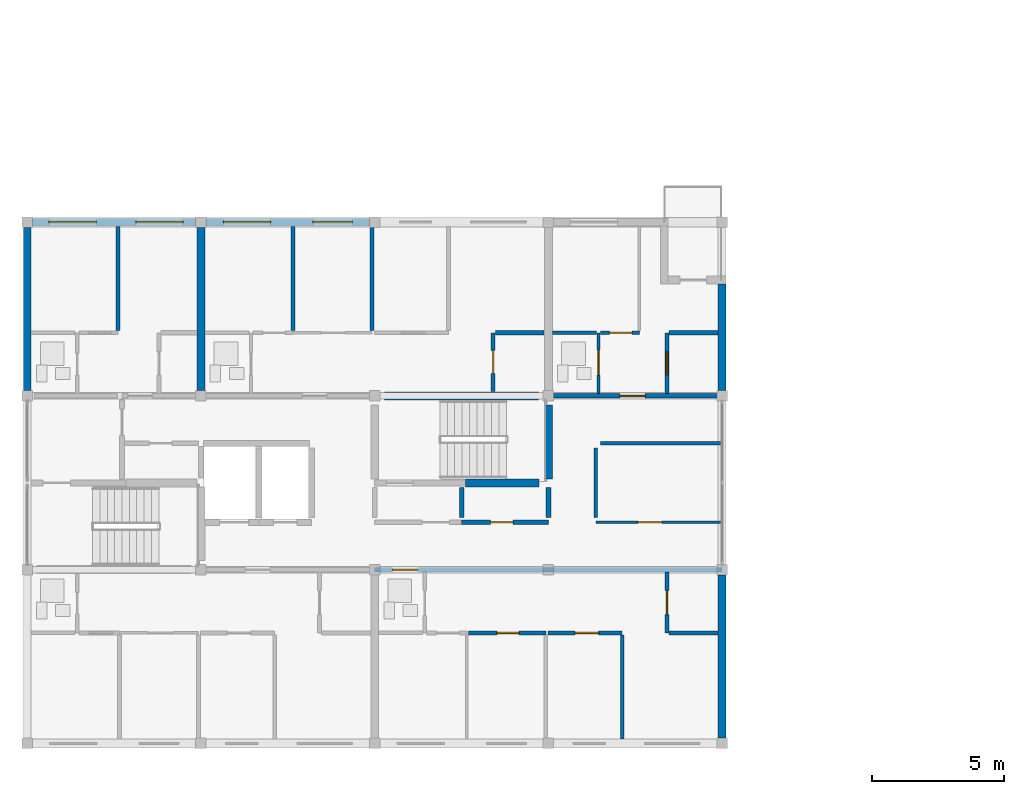
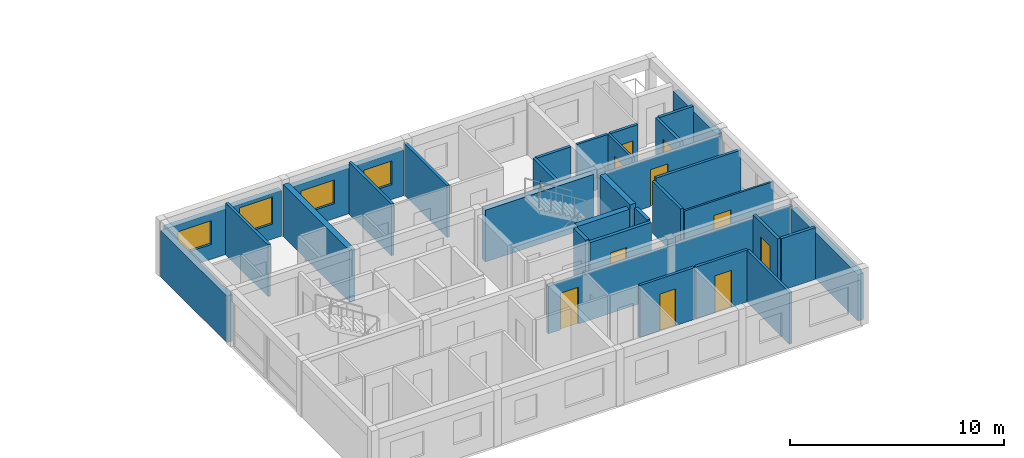
# One storey, part 26 of 45: 32 walls, 11 doors, 4 windows, 15 openings.
"""IFC4 building model written with IfcOpenShell, lengths in metres."""

from ifc_helpers import new_model, si_unit, direction, frame, frame_2d, origin, place, context, subcontext, project, spatial, rectangle, extrude, material, layer, layer_set, type_object, element, fill, save


model = new_model("IFC4")

# Units and contexts
model_context = context("Model", 3, precision=1e-05, world=origin(), true_north=direction((0.0, 1.0)))
body_context = subcontext(model_context, "Body", "Model", "MODEL_VIEW")
ifc_project = project(units=[si_unit("LENGTHUNIT", "METRE"), si_unit("AREAUNIT", "SQUARE_METRE"), si_unit("VOLUMEUNIT", "CUBIC_METRE"), si_unit("PLANEANGLEUNIT", "RADIAN"), si_unit("MASSUNIT", "GRAM", prefix="KILO")], contexts=[model_context])

# Site, building, storey
site_placement = place(None, origin())
site = spatial("IfcSite", under=ifc_project, at=site_placement, CompositionType="ELEMENT")
building_placement = place(site_placement, origin())
building = spatial("IfcBuilding", under=site, at=building_placement, Name="Kernevlak Ridge Housing Community", CompositionType="ELEMENT")
storey_placement = place(building_placement, frame((0.0, 0.0, 14.800048828125)))
storey = spatial("IfcBuildingStorey", under=building, at=storey_placement, Name="L04", CompositionType="ELEMENT", Elevation=14.800048828125)

# Wall, openings, windows
ifc_material_1 = material(Name="Concrete block masonry M10", Category="masonry")
ifc_layer_1 = layer(ifc_material_1, 0.300048828125, Name="Concrete block masonry M10")
ifc_layer_set_1 = layer_set([ifc_layer_1], Name="Concrete block masonry M10")
wall_type_1 = type_object("IfcWallType", Name="EW-01", PredefinedType="STANDARD", material=ifc_layer_set_1)
wall_1_placement = place(storey_placement, frame((15.800048828125, 35.39990234375, 0.0), z_axis=(0.0, 0.0, 1.0), x_axis=(1.0, 0.0, 0.0)))
wall_1 = element("IfcWall", 1, at=wall_1_placement, inside=storey, type_object=wall_type_1, Name="Exterior wall EW-01 L04 771", PredefinedType="STANDARD", context=body_context, shape_type="SweptSolid", body=[
    extrude(rectangle(XDim=6.199951171875, YDim=0.300048828125, at=frame_2d((3.10009765625, 0.0))), origin(), (0.0, 0.0, 1.0), 2.599853515625),
])
opening_1_placement = place(wall_1_placement, frame((0.625, 0.0, 0.85009765625)))
opening_1 = element("IfcOpeningElement", 2, at=opening_1_placement, cuts=wall_1, Name="Opening WT-03", PredefinedType="OPENING", context=body_context, shape_type="SweptSolid", body=[
    extrude(rectangle(XDim=1.800048828125, YDim=1.35009765625, at=frame_2d((0.89990234375, 0.675048828125))), frame((0.0, 0.159912109375, 0.0), z_axis=(0.0, -1.0, 0.0), x_axis=(1.0, 0.0, 0.0)), (0.0, 0.0, 1.0), 0.320068359375),
])
opening_2_placement = place(wall_1_placement, frame((3.925048828125, 0.0, 0.85009765625)))
opening_2 = element("IfcOpeningElement", 3, at=opening_2_placement, cuts=wall_1, Name="Opening WT-04", PredefinedType="OPENING", context=body_context, shape_type="SweptSolid", body=[
    extrude(rectangle(XDim=1.800048828125, YDim=1.550048828125, at=frame_2d((0.89990234375, 0.77490234375))), frame((0.0, 0.159912109375, 0.0), z_axis=(0.0, -1.0, 0.0), x_axis=(1.0, 0.0, 0.0)), (0.0, 0.0, 1.0), 0.320068359375),
])
ifc_material_2 = material(Name="Aluminium EN AW-6060 anodised and laminated glass", Category="aluminium")
window_type_1 = type_object("IfcWindowType", Name="WT-03", PartitioningType="SINGLE_PANEL", PredefinedType="WINDOW", material=ifc_material_2)
window_1_placement = place(opening_1_placement, origin())
window_1 = element("IfcWindow", 4, at=window_1_placement, inside=storey, type_object=window_type_1, Name="Window WT-03 L04 643", OverallHeight=1.35009765625, OverallWidth=1.800048828125, PartitioningType="SINGLE_PANEL", PredefinedType="WINDOW", context=body_context, shape_type="SweptSolid", body=[
    extrude(rectangle(XDim=1.800048828125, YDim=1.35009765625, at=frame_2d((0.89990234375, 0.675048828125))), frame((0.0, 0.030029296875, 0.0), z_axis=(0.0, -1.0, 0.0), x_axis=(1.0, 0.0, 0.0)), (0.0, 0.0, 1.0), 0.06005859375),
])
fill(opening_1, window_1)
window_type_2 = type_object("IfcWindowType", Name="WT-04", PartitioningType="SINGLE_PANEL", PredefinedType="WINDOW", material=ifc_material_2)
window_2_placement = place(opening_2_placement, origin())
window_2 = element("IfcWindow", 5, at=window_2_placement, inside=storey, type_object=window_type_2, Name="Window WT-04 L04 644", OverallHeight=1.550048828125, OverallWidth=1.800048828125, PartitioningType="SINGLE_PANEL", PredefinedType="WINDOW", context=body_context, shape_type="SweptSolid", body=[
    extrude(rectangle(XDim=1.800048828125, YDim=1.550048828125, at=frame_2d((0.89990234375, 0.77490234375))), frame((0.0, 0.030029296875, 0.0), z_axis=(0.0, -1.0, 0.0), x_axis=(1.0, 0.0, 0.0)), (0.0, 0.0, 1.0), 0.06005859375),
])
fill(opening_2, window_2)

wall_2_placement = place(storey_placement, frame((22.39990234375, 35.39990234375, 0.0), z_axis=(0.0, 0.0, 1.0), x_axis=(1.0, 0.0, 0.0)))
wall_2 = element("IfcWall", 6, at=wall_2_placement, inside=storey, type_object=wall_type_1, Name="Exterior wall EW-01 L04 772", PredefinedType="STANDARD", context=body_context, shape_type="SweptSolid", body=[
    extrude(rectangle(XDim=6.2001953125, YDim=0.300048828125, at=frame_2d((3.10009765625, 0.0))), origin(), (0.0, 0.0, 1.0), 2.599853515625),
])
opening_3_placement = place(wall_2_placement, frame((0.64990234375, 0.0, 0.85009765625)))
opening_3 = element("IfcOpeningElement", 7, at=opening_3_placement, cuts=wall_2, Name="Opening WT-03", PredefinedType="OPENING", context=body_context, shape_type="SweptSolid", body=[
    extrude(rectangle(XDim=1.800048828125, YDim=1.35009765625, at=frame_2d((0.89990234375, 0.675048828125))), frame((0.0, 0.159912109375, 0.0), z_axis=(0.0, -1.0, 0.0), x_axis=(1.0, 0.0, 0.0)), (0.0, 0.0, 1.0), 0.320068359375),
])
opening_4_placement = place(wall_2_placement, frame((4.050048828125, 0.0, 0.85009765625)))
opening_4 = element("IfcOpeningElement", 8, at=opening_4_placement, cuts=wall_2, Name="Opening WT-02", PredefinedType="OPENING", context=body_context, shape_type="SweptSolid", body=[
    extrude(rectangle(XDim=1.5, YDim=1.35009765625, at=frame_2d((0.75, 0.675048828125))), frame((0.0, 0.159912109375, 0.0), z_axis=(0.0, -1.0, 0.0), x_axis=(1.0, 0.0, 0.0)), (0.0, 0.0, 1.0), 0.320068359375),
])
window_type_3 = type_object("IfcWindowType", Name="WT-02", PartitioningType="SINGLE_PANEL", PredefinedType="WINDOW", material=ifc_material_2)
window_3_placement = place(opening_4_placement, origin())
window_3 = element("IfcWindow", 9, at=window_3_placement, inside=storey, type_object=window_type_3, Name="Window WT-02 L04 646", OverallHeight=1.35009765625, OverallWidth=1.5, PartitioningType="SINGLE_PANEL", PredefinedType="WINDOW", context=body_context, shape_type="SweptSolid", body=[
    extrude(rectangle(XDim=1.5, YDim=1.35009765625, at=frame_2d((0.75, 0.675048828125))), frame((0.0, 0.030029296875, 0.0), z_axis=(0.0, -1.0, 0.0), x_axis=(1.0, 0.0, 0.0)), (0.0, 0.0, 1.0), 0.06005859375),
])
fill(opening_4, window_3)
window_4_placement = place(opening_3_placement, origin())
window_4 = element("IfcWindow", 10, at=window_4_placement, inside=storey, type_object=window_type_1, Name="Window WT-03 L04 645", OverallHeight=1.35009765625, OverallWidth=1.800048828125, PartitioningType="SINGLE_PANEL", PredefinedType="WINDOW", context=body_context, shape_type="SweptSolid", body=[
    extrude(rectangle(XDim=1.800048828125, YDim=1.35009765625, at=frame_2d((0.89990234375, 0.675048828125))), frame((0.0, 0.030029296875, 0.0), z_axis=(0.0, -1.0, 0.0), x_axis=(1.0, 0.0, 0.0)), (0.0, 0.0, 1.0), 0.06005859375),
])
fill(opening_3, window_4)

# Walls
for number, where, z_axis, x_axis, name in (
    (11, (15.60009765625, 29.0, 0.0), (0.0, 0.0, 1.0), (0.0, 1.0, 0.0), "Exterior wall EW-01 L04 778"),
    (12, (42.0, 15.800048828125, 0.0), (0.0, 0.0, 1.0), (0.0, 1.0, 0.0), "Exterior wall EW-01 L04 779"),
):
    element("IfcWall", number, at=place(storey_placement, frame(where, z_axis=z_axis, x_axis=x_axis)), inside=storey, type_object=wall_type_1, Name=name, PredefinedType="STANDARD", context=body_context, shape_type="SweptSolid", body=[
        extrude(rectangle(XDim=6.199951171875, YDim=0.300048828125, at=frame_2d((3.10009765625, 0.0))), origin(), (0.0, 0.0, 1.0), 2.64990234375),
    ])
wall_3_placement = place(storey_placement, frame((42.0, 29.0, 0.0), z_axis=(0.0, 0.0, 1.0), x_axis=(0.0, 1.0, 0.0)))
element("IfcWall", 13, at=wall_3_placement, inside=storey, type_object=wall_type_1, Name="Exterior wall EW-01 L04 780", PredefinedType="STANDARD", context=body_context, shape_type="SweptSolid", body=[
    extrude(rectangle(XDim=4.050048828125, YDim=0.300048828125, at=frame_2d((2.02490234375, 0.0))), origin(), (0.0, 0.0, 1.0), 2.64990234375),
])

# Wall, opening, door
ifc_layer_2 = layer(ifc_material_1, 0.175048828125, Name="Concrete block masonry M10")
ifc_layer_set_2 = layer_set([ifc_layer_2], Name="Concrete block masonry M10")
wall_type_2 = type_object("IfcWallType", Name="PW-02", PredefinedType="PARTITIONING", material=ifc_layer_set_2)
wall_4_placement = place(storey_placement, frame((32.10009765625, 24.0, 0.0), z_axis=(0.0, 0.0, 1.0), x_axis=(1.0, 0.0, 0.0)))
wall_4 = element("IfcWall", 14, at=wall_4_placement, inside=storey, type_object=wall_type_2, Name="Interior wall PW-02 WAL-INT-L04-3187", PredefinedType="PARTITIONING", context=body_context, shape_type="SweptSolid", body=[
    extrude(rectangle(XDim=3.2998046875, YDim=0.175048828125, at=frame_2d((1.64990234375, 0.0))), origin(), (0.0, 0.0, 1.0), 2.9599609375),
])
opening_5_placement = place(wall_4_placement, frame((1.10009765625, 0.0, 0.0)))
opening_5 = element("IfcOpeningElement", 15, at=opening_5_placement, cuts=wall_4, Name="Opening E616", PredefinedType="OPENING", context=body_context, shape_type="SweptSolid", body=[
    extrude(rectangle(XDim=0.85009765625, YDim=2.0, at=frame_2d((0.425048828125, 1.0))), frame((0.0, 0.097412109375, 0.0), z_axis=(0.0, -1.0, 0.0), x_axis=(1.0, 0.0, 0.0)), (0.0, 0.0, 1.0), 0.195068359375),
])
ifc_material_3 = material(Name="Fire-rated sheet steel leaf", Category="steel")
door_type_1 = type_object("IfcDoorType", Name="DT-07", OperationType="NOTDEFINED", PredefinedType="DOOR", material=ifc_material_3)
door_1_placement = place(opening_5_placement, origin())
door_1 = element("IfcDoor", 16, at=door_1_placement, inside=storey, type_object=door_type_1, Name="Block D Cleaner store door E616", OperationType="SINGLE_SWING_LEFT", OverallHeight=2.0, OverallWidth=0.85009765625, PredefinedType="DOOR", context=body_context, shape_type="SweptSolid", body=[
    extrude(rectangle(XDim=0.85009765625, YDim=2.0, at=frame_2d((0.425048828125, 1.0))), frame((0.0, 0.02490234375, 0.0), z_axis=(0.0, -1.0, 0.0), x_axis=(1.0, 0.0, 0.0)), (0.0, 0.0, 1.0), 0.050048828125),
])
fill(opening_5, door_1)

# Walls
for number, where, z_axis, x_axis, name in (
    (17, (32.10009765625, 24.179931640625, 0.0), (0.0, 0.0, 1.0), (0.0, 1.0, 0.0), "Interior wall PW-02 WAL-INT-L04-3189"),
    (18, (35.39990234375, 24.179931640625, 0.0), (0.0, 0.0, 1.0), (0.0, 1.0, 0.0), "Interior wall PW-02 WAL-INT-L04-3190"),
):
    element("IfcWall", number, at=place(storey_placement, frame(where, z_axis=z_axis, x_axis=x_axis)), inside=storey, type_object=wall_type_2, Name=name, PredefinedType="PARTITIONING", context=body_context, shape_type="SweptSolid", body=[
        extrude(rectangle(XDim=1.14013671875, YDim=0.175048828125, at=frame_2d((0.570068359375, 0.0))), origin(), (0.0, 0.0, 1.0), 2.9599609375),
    ])

# Wall, opening, door
wall_5_placement = place(storey_placement, frame((28.800048828125, 22.199951171875, 0.0), z_axis=(0.0, 0.0, 1.0), x_axis=(1.0, 0.0, 0.0)))
wall_5 = element("IfcWall", 19, at=wall_5_placement, inside=storey, type_object=wall_type_2, Name="Interior wall PW-02 WAL-INT-L04-3205", PredefinedType="PARTITIONING", context=body_context, shape_type="SweptSolid", body=[
    extrude(rectangle(XDim=13.199951171875, YDim=0.175048828125, at=frame_2d((6.60009765625, 0.0))), origin(), (0.0, 0.0, 1.0), 2.699951171875),
])
opening_6_placement = place(wall_5_placement, frame((0.669921875, 0.0, 0.0)))
opening_6 = element("IfcOpeningElement", 20, at=opening_6_placement, cuts=wall_5, Name="Opening E624", PredefinedType="OPENING", context=body_context, shape_type="SweptSolid", body=[
    extrude(rectangle(XDim=0.949951171875, YDim=2.10009765625, at=frame_2d((0.47509765625, 1.050048828125))), frame((0.0, 0.097412109375, 0.0), z_axis=(0.0, -1.0, 0.0), x_axis=(1.0, 0.0, 0.0)), (0.0, 0.0, 1.0), 0.195068359375),
])
ifc_material_4 = material(Name="Hardwood timber solid-core fire leaf", Category="wood")
door_type_2 = type_object("IfcDoorType", Name="DT-01", OperationType="NOTDEFINED", PredefinedType="DOOR", material=ifc_material_4)
door_2_placement = place(opening_6_placement, origin())
door_2 = element("IfcDoor", 21, at=door_2_placement, inside=storey, type_object=door_type_2, Name="Flat D0412 entrance fire door E624", OperationType="SINGLE_SWING_LEFT", OverallHeight=2.10009765625, OverallWidth=0.949951171875, PredefinedType="DOOR", context=body_context, shape_type="SweptSolid", body=[
    extrude(rectangle(XDim=0.949951171875, YDim=2.10009765625, at=frame_2d((0.47509765625, 1.050048828125))), frame((0.0, 0.02490234375, 0.0), z_axis=(0.0, -1.0, 0.0), x_axis=(1.0, 0.0, 0.0)), (0.0, 0.0, 1.0), 0.050048828125),
])
fill(opening_6, door_2)

wall_6_placement = place(storey_placement, frame((35.39990234375, 28.800048828125, 0.0), z_axis=(0.0, 0.0, 1.0), x_axis=(1.0, 0.0, 0.0)))
wall_6 = element("IfcWall", 22, at=wall_6_placement, inside=storey, type_object=wall_type_2, Name="Interior wall PW-02 WAL-INT-L04-3235", PredefinedType="PARTITIONING", context=body_context, shape_type="SweptSolid", body=[
    extrude(rectangle(XDim=6.60009765625, YDim=0.175048828125, at=frame_2d((3.300048828125, 0.0))), origin(), (0.0, 0.0, 1.0), 2.699951171875),
])
opening_7_placement = place(wall_6_placement, frame((2.72509765625, 0.0, 0.0)))
opening_7 = element("IfcOpeningElement", 23, at=opening_7_placement, cuts=wall_6, Name="Opening E640", PredefinedType="OPENING", context=body_context, shape_type="SweptSolid", body=[
    extrude(rectangle(XDim=0.949951171875, YDim=2.10009765625, at=frame_2d((0.47509765625, 1.050048828125))), frame((0.0, 0.097412109375, 0.0), z_axis=(0.0, -1.0, 0.0), x_axis=(1.0, 0.0, 0.0)), (0.0, 0.0, 1.0), 0.195068359375),
])
door_3_placement = place(opening_7_placement, origin())
door_3 = element("IfcDoor", 24, at=door_3_placement, inside=storey, type_object=door_type_2, Name="Flat D0423 entrance fire door E640", OperationType="SINGLE_SWING_LEFT", OverallHeight=2.10009765625, OverallWidth=0.949951171875, PredefinedType="DOOR", context=body_context, shape_type="SweptSolid", body=[
    extrude(rectangle(XDim=0.949951171875, YDim=2.10009765625, at=frame_2d((0.47509765625, 1.050048828125))), frame((0.0, 0.02490234375, 0.0), z_axis=(0.0, -1.0, 0.0), x_axis=(1.0, 0.0, 0.0)), (0.0, 0.0, 1.0), 0.050048828125),
])
fill(opening_7, door_3)

# Walls
ifc_layer_3 = layer(ifc_material_1, 0.14501953125, Name="Concrete block masonry M10")
ifc_layer_set_3 = layer_set([ifc_layer_3], Name="Concrete block masonry M10")
wall_type_3 = type_object("IfcWallType", Name="PW-03", PredefinedType="PARTITIONING", material=ifc_layer_set_3)
wall_7_placement = place(storey_placement, frame((37.3798828125, 27.0, 0.0), z_axis=(0.0, 0.0, 1.0), x_axis=(1.0, 0.0, 0.0)))
element("IfcWall", 25, at=wall_7_placement, inside=storey, type_object=wall_type_3, Name="Interior wall PW-03 WAL-INT-L04-3192", PredefinedType="PARTITIONING", context=body_context, shape_type="SweptSolid", body=[
    extrude(rectangle(XDim=4.60009765625, YDim=0.14501953125, at=frame_2d((2.300048828125, 0.0))), origin(), (0.0, 0.0, 1.0), 2.9599609375),
])
wall_8_placement = place(storey_placement, frame((37.199951171875, 24.179931640625, 0.0), z_axis=(0.0, 0.0, 1.0), x_axis=(0.0, 1.0, 0.0)))
element("IfcWall", 26, at=wall_8_placement, inside=storey, type_object=wall_type_3, Name="Interior wall PW-03 WAL-INT-L04-3193", PredefinedType="PARTITIONING", context=body_context, shape_type="SweptSolid", body=[
    extrude(rectangle(XDim=2.64013671875, YDim=0.14501953125, at=frame_2d((1.320068359375, 0.0))), origin(), (0.0, 0.0, 1.0), 2.9599609375),
])

# Wall, opening, door
wall_9_placement = place(storey_placement, frame((32.362548828125, 19.800048828125, 0.0), z_axis=(0.0, 0.0, 1.0), x_axis=(1.0, 0.0, 0.0)))
wall_9 = element("IfcWall", 27, at=wall_9_placement, inside=storey, type_object=wall_type_3, Name="Interior wall PW-03 WAL-INT-L04-3212", PredefinedType="PARTITIONING", context=body_context, shape_type="SweptSolid", body=[
    extrude(rectangle(XDim=2.9375, YDim=0.14501953125, at=frame_2d((1.46875, 0.0))), origin(), (0.0, 0.0, 1.0), 2.9599609375),
])
opening_8_placement = place(wall_9_placement, frame((1.074951171875, 0.0, 0.0)))
opening_8 = element("IfcOpeningElement", 28, at=opening_8_placement, cuts=wall_9, Name="Opening E628", PredefinedType="OPENING", context=body_context, shape_type="SweptSolid", body=[
    extrude(rectangle(XDim=0.85009765625, YDim=2.10009765625, at=frame_2d((0.425048828125, 1.050048828125))), frame((0.0, 0.08251953125, 0.0), z_axis=(0.0, -1.0, 0.0), x_axis=(1.0, 0.0, 0.0)), (0.0, 0.0, 1.0), 0.1650390625),
])
ifc_material_5 = material(Name="Hardwood timber leaf", Category="wood")
door_type_3 = type_object("IfcDoorType", Name="DT-03", OperationType="NOTDEFINED", PredefinedType="DOOR", material=ifc_material_5)
door_4_placement = place(opening_8_placement, origin())
door_4 = element("IfcDoor", 29, at=door_4_placement, inside=storey, type_object=door_type_3, Name="Flat D0412 bedroom door E628", OperationType="SINGLE_SWING_LEFT", OverallHeight=2.10009765625, OverallWidth=0.85009765625, PredefinedType="DOOR", context=body_context, shape_type="SweptSolid", body=[
    extrude(rectangle(XDim=0.85009765625, YDim=2.10009765625, at=frame_2d((0.425048828125, 1.050048828125))), frame((0.0, 0.02490234375, 0.0), z_axis=(0.0, -1.0, 0.0), x_axis=(1.0, 0.0, 0.0)), (0.0, 0.0, 1.0), 0.050048828125),
])
fill(opening_8, door_4)

wall_10_placement = place(storey_placement, frame((35.382568359375, 19.800048828125, 0.0), z_axis=(0.0, 0.0, 1.0), x_axis=(1.0, 0.0, 0.0)))
wall_10 = element("IfcWall", 30, at=wall_10_placement, inside=storey, type_object=wall_type_3, Name="Interior wall PW-03 WAL-INT-L04-3214", PredefinedType="PARTITIONING", context=body_context, shape_type="SweptSolid", body=[
    extrude(rectangle(XDim=2.8173828125, YDim=0.14501953125, at=frame_2d((1.40869140625, 0.0))), origin(), (0.0, 0.0, 1.0), 2.9599609375),
])
opening_9_placement = place(wall_10_placement, frame((1.02490234375, 0.0, 0.0)))
opening_9 = element("IfcOpeningElement", 31, at=opening_9_placement, cuts=wall_10, Name="Opening E629", PredefinedType="OPENING", context=body_context, shape_type="SweptSolid", body=[
    extrude(rectangle(XDim=0.89990234375, YDim=2.10009765625, at=frame_2d((0.449951171875, 1.050048828125))), frame((0.0, 0.08251953125, 0.0), z_axis=(0.0, -1.0, 0.0), x_axis=(1.0, 0.0, 0.0)), (0.0, 0.0, 1.0), 0.1650390625),
])
door_type_4 = type_object("IfcDoorType", Name="DT-21", OperationType="NOTDEFINED", PredefinedType="DOOR", material=ifc_material_5)
door_5_placement = place(opening_9_placement, origin())
door_5 = element("IfcDoor", 32, at=door_5_placement, inside=storey, type_object=door_type_4, Name="Flat D0412 bedroom door E629", OperationType="SINGLE_SWING_RIGHT", OverallHeight=2.10009765625, OverallWidth=0.89990234375, PredefinedType="DOOR", context=body_context, shape_type="SweptSolid", body=[
    extrude(rectangle(XDim=0.89990234375, YDim=2.10009765625, at=frame_2d((0.449951171875, 1.050048828125))), frame((0.0, 0.02490234375, 0.0), z_axis=(0.0, -1.0, 0.0), x_axis=(1.0, 0.0, 0.0)), (0.0, 0.0, 1.0), 0.050048828125),
])
fill(opening_9, door_5)

# Walls
for number, where, z_axis, x_axis, name in (
    (33, (38.199951171875, 19.717529296875, 0.0), (0.0, 0.0, 1.0), (0.0, -1.0, 0.0), "Interior wall PW-03 WAL-INT-L04-3215"),
    (34, (19.050048828125, 31.282470703125, 0.0), (0.0, 0.0, 1.0), (0.0, 1.0, 0.0), "Interior wall PW-03 WAL-INT-L04-3223"),
    (35, (25.699951171875, 31.282470703125, 0.0), (0.0, 0.0, 1.0), (0.0, 1.0, 0.0), "Interior wall PW-03 WAL-INT-L04-3230"),
):
    element("IfcWall", number, at=place(storey_placement, frame(where, z_axis=z_axis, x_axis=x_axis)), inside=storey, type_object=wall_type_3, Name=name, PredefinedType="PARTITIONING", context=body_context, shape_type="SweptSolid", body=[
        extrude(rectangle(XDim=3.95751953125, YDim=0.14501953125, at=frame_2d((1.978759765625, 0.0))), origin(), (0.0, 0.0, 1.0), 2.9599609375),
    ])
wall_11_placement = place(storey_placement, frame((28.699951171875, 31.280029296875, 0.0), z_axis=(0.0, 0.0, 1.0), x_axis=(0.0, 1.0, 0.0)))
element("IfcWall", 36, at=wall_11_placement, inside=storey, type_object=wall_type_3, Name="Interior wall PW-03 WAL-INT-L04-3232", PredefinedType="PARTITIONING", context=body_context, shape_type="SweptSolid", body=[
    extrude(rectangle(XDim=4.0400390625, YDim=0.14501953125, at=frame_2d((2.02001953125, 0.0))), origin(), (0.0, 0.0, 1.0), 2.9599609375),
])

# Wall, opening, door
wall_12_placement = place(storey_placement, frame((37.37255859375, 31.199951171875, 0.0), z_axis=(0.0, 0.0, 1.0), x_axis=(1.0, 0.0, 0.0)))
wall_12 = element("IfcWall", 37, at=wall_12_placement, inside=storey, type_object=wall_type_3, Name="Interior wall PW-03 WAL-INT-L04-3240", PredefinedType="PARTITIONING", context=body_context, shape_type="SweptSolid", body=[
    extrude(rectangle(XDim=1.4775390625, YDim=0.14501953125, at=frame_2d((0.73876953125, 0.0))), origin(), (0.0, 0.0, 1.0), 2.9599609375),
])
opening_10_placement = place(wall_12_placement, frame((0.35009765625, 0.0, 0.0)))
opening_10 = element("IfcOpeningElement", 38, at=opening_10_placement, cuts=wall_12, Name="Opening E643", PredefinedType="OPENING", context=body_context, shape_type="SweptSolid", body=[
    extrude(rectangle(XDim=0.860107421875, YDim=2.1201171875, at=frame_2d((0.43017578125, 1.06005859375))), frame((0.0, 0.08251953125, 0.0), z_axis=(0.0, -1.0, 0.0), x_axis=(1.0, 0.0, 0.0)), (0.0, 0.0, 1.0), 0.1650390625),
])
door_type_5 = type_object("IfcDoorType", Name="DT-28", OperationType="NOTDEFINED", PredefinedType="DOOR", material=ifc_material_5)
door_6_placement = place(opening_10_placement, origin())
door_6 = element("IfcDoor", 39, at=door_6_placement, inside=storey, type_object=door_type_5, Name="Flat D0423 bedroom door E643", OperationType="SINGLE_SWING_RIGHT", OverallHeight=2.1201171875, OverallWidth=0.860107421875, PredefinedType="DOOR", context=body_context, shape_type="SweptSolid", body=[
    extrude(rectangle(XDim=0.860107421875, YDim=2.1201171875, at=frame_2d((0.43017578125, 1.06005859375))), frame((0.0, 0.02490234375, 0.0), z_axis=(0.0, -1.0, 0.0), x_axis=(1.0, 0.0, 0.0)), (0.0, 0.0, 1.0), 0.050048828125),
])
fill(opening_10, door_6)

ifc_material_6 = material(Name="Gypsum plasterboard EN 520", Category="gypsum")
ifc_layer_4 = layer(ifc_material_6, 0.125, Name="Gypsum plasterboard EN 520")
ifc_layer_set_4 = layer_set([ifc_layer_4], Name="Gypsum plasterboard EN 520")
wall_type_4 = type_object("IfcWallType", Name="PW-04", PredefinedType="PARTITIONING", material=ifc_layer_set_4)
wall_13_placement = place(storey_placement, frame((37.300048828125, 28.8974609375, 0.0), z_axis=(0.0, 0.0, 1.0), x_axis=(0.0, 1.0, 0.0)))
wall_13 = element("IfcWall", 40, at=wall_13_placement, inside=storey, type_object=wall_type_4, Name="Interior wall PW-04 WAL-INT-L04-3236", PredefinedType="PARTITIONING", context=body_context, shape_type="SweptSolid", body=[
    extrude(rectangle(XDim=2.302490234375, YDim=0.125, at=frame_2d((1.1513671875, 0.0))), origin(), (0.0, 0.0, 1.0), 2.9599609375),
])
opening_11_placement = place(wall_13_placement, frame((0.699951171875, 0.0, 0.0)))
opening_11 = element("IfcOpeningElement", 41, at=opening_11_placement, cuts=wall_13, Name="Opening E641", PredefinedType="OPENING", context=body_context, shape_type="SweptSolid", body=[
    extrude(rectangle(XDim=0.93994140625, YDim=2.080078125, at=frame_2d((0.469970703125, 1.0400390625))), frame((0.0, 0.072509765625, 0.0), z_axis=(0.0, -1.0, 0.0), x_axis=(1.0, 0.0, 0.0)), (0.0, 0.0, 1.0), 0.14501953125),
])
ifc_material_7 = material(Name="Hardwood timber moisture-resistant leaf", Category="wood")
door_type_6 = type_object("IfcDoorType", Name="DT-23", OperationType="NOTDEFINED", PredefinedType="DOOR", material=ifc_material_7)
door_7_placement = place(opening_11_placement, origin())
door_7 = element("IfcDoor", 42, at=door_7_placement, inside=storey, type_object=door_type_6, Name="Flat D0423 bathroom door E641", OperationType="SINGLE_SWING_RIGHT", OverallHeight=2.080078125, OverallWidth=0.93994140625, PredefinedType="DOOR", context=body_context, shape_type="SweptSolid", body=[
    extrude(rectangle(XDim=0.93994140625, YDim=2.080078125, at=frame_2d((0.469970703125, 1.0400390625))), frame((0.0, 0.02490234375, 0.0), z_axis=(0.0, -1.0, 0.0), x_axis=(1.0, 0.0, 0.0)), (0.0, 0.0, 1.0), 0.050048828125),
])
fill(opening_11, door_7)

# Wall
wall_14_placement = place(storey_placement, frame((35.56005859375, 31.199951171875, 0.0), z_axis=(0.0, 0.0, 1.0), x_axis=(1.0, 0.0, 0.0)))
element("IfcWall", 43, at=wall_14_placement, inside=storey, type_object=wall_type_4, Name="Interior wall PW-04 WAL-INT-L04-3237", PredefinedType="PARTITIONING", context=body_context, shape_type="SweptSolid", body=[
    extrude(rectangle(XDim=1.659912109375, YDim=0.125, at=frame_2d((0.830078125, 0.0))), origin(), (0.0, 0.0, 1.0), 2.9599609375),
])

# Wall, opening, door
ifc_layer_5 = layer(ifc_material_6, 0.155029296875, Name="Gypsum plasterboard EN 520")
ifc_layer_set_5 = layer_set([ifc_layer_5], Name="Gypsum plasterboard EN 520")
wall_type_5 = type_object("IfcWallType", Name="PW-05", PredefinedType="PARTITIONING", material=ifc_layer_set_5)
wall_15_placement = place(storey_placement, frame((39.89990234375, 22.1025390625, 0.0), z_axis=(0.0, 0.0, 1.0), x_axis=(0.0, -1.0, 0.0)))
wall_15 = element("IfcWall", 44, at=wall_15_placement, inside=storey, type_object=wall_type_5, Name="Interior wall PW-05 WAL-INT-L04-3208", PredefinedType="PARTITIONING", context=body_context, shape_type="SweptSolid", body=[
    extrude(rectangle(XDim=2.302490234375, YDim=0.155029296875, at=frame_2d((1.1513671875, 0.0))), origin(), (0.0, 0.0, 1.0), 2.9599609375),
])
opening_12_placement = place(wall_15_placement, frame((0.699951171875, 0.0, 0.0)))
opening_12 = element("IfcOpeningElement", 45, at=opening_12_placement, cuts=wall_15, Name="Opening E626", PredefinedType="OPENING", context=body_context, shape_type="SweptSolid", body=[
    extrude(rectangle(XDim=0.909912109375, YDim=2.139892578125, at=frame_2d((0.455078125, 1.06982421875))), frame((0.0, 0.08740234375, 0.0), z_axis=(0.0, -1.0, 0.0), x_axis=(1.0, 0.0, 0.0)), (0.0, 0.0, 1.0), 0.175048828125),
])
door_type_7 = type_object("IfcDoorType", Name="DT-31", OperationType="NOTDEFINED", PredefinedType="DOOR", material=ifc_material_5)
door_8_placement = place(opening_12_placement, origin())
door_8 = element("IfcDoor", 46, at=door_8_placement, inside=storey, type_object=door_type_7, Name="Flat D0412 kitchen door E626", OperationType="SINGLE_SWING_LEFT", OverallHeight=2.139892578125, OverallWidth=0.909912109375, PredefinedType="DOOR", context=body_context, shape_type="SweptSolid", body=[
    extrude(rectangle(XDim=0.909912109375, YDim=2.139892578125, at=frame_2d((0.455078125, 1.06982421875))), frame((0.0, 0.02490234375, 0.0), z_axis=(0.0, -1.0, 0.0), x_axis=(1.0, 0.0, 0.0)), (0.0, 0.0, 1.0), 0.050048828125),
])
fill(opening_12, door_8)

# Wall
wall_16_placement = place(storey_placement, frame((39.987548828125, 19.800048828125, 0.0), z_axis=(0.0, 0.0, 1.0), x_axis=(1.0, 0.0, 0.0)))
element("IfcWall", 47, at=wall_16_placement, inside=storey, type_object=wall_type_5, Name="Interior wall PW-05 WAL-INT-L04-3209", PredefinedType="PARTITIONING", context=body_context, shape_type="SweptSolid", body=[
    extrude(rectangle(XDim=1.8525390625, YDim=0.155029296875, at=frame_2d((0.92626953125, 0.0))), origin(), (0.0, 0.0, 1.0), 2.9599609375),
])

# Wall, opening, door
wall_17_placement = place(storey_placement, frame((33.300048828125, 28.9599609375, 0.0), z_axis=(0.0, 0.0, 1.0), x_axis=(0.0, 1.0, 0.0)))
wall_17 = element("IfcWall", 48, at=wall_17_placement, inside=storey, type_object=wall_type_5, Name="Interior wall PW-05 WAL-INT-L04-3227", PredefinedType="PARTITIONING", context=body_context, shape_type="SweptSolid", body=[
    extrude(rectangle(XDim=2.239990234375, YDim=0.155029296875, at=frame_2d((1.1201171875, 0.0))), origin(), (0.0, 0.0, 1.0), 2.9599609375),
])
opening_13_placement = place(wall_17_placement, frame((0.699951171875, 0.0, 0.0)))
opening_13 = element("IfcOpeningElement", 49, at=opening_13_placement, cuts=wall_17, Name="Opening E636", PredefinedType="OPENING", context=body_context, shape_type="SweptSolid", body=[
    extrude(rectangle(XDim=0.8701171875, YDim=2.080078125, at=frame_2d((0.43505859375, 1.0400390625))), frame((0.0, 0.08740234375, 0.0), z_axis=(0.0, -1.0, 0.0), x_axis=(1.0, 0.0, 0.0)), (0.0, 0.0, 1.0), 0.175048828125),
])
door_type_8 = type_object("IfcDoorType", Name="DT-32", OperationType="NOTDEFINED", PredefinedType="DOOR", material=ifc_material_5)
door_9_placement = place(opening_13_placement, origin())
door_9 = element("IfcDoor", 50, at=door_9_placement, inside=storey, type_object=door_type_8, Name="Flat D0422 kitchen door E636", OperationType="SINGLE_SWING_LEFT", OverallHeight=2.080078125, OverallWidth=0.8701171875, PredefinedType="DOOR", context=body_context, shape_type="SweptSolid", body=[
    extrude(rectangle(XDim=0.8701171875, YDim=2.080078125, at=frame_2d((0.43505859375, 1.0400390625))), frame((0.0, 0.02490234375, 0.0), z_axis=(0.0, -1.0, 0.0), x_axis=(1.0, 0.0, 0.0)), (0.0, 0.0, 1.0), 0.050048828125),
])
fill(opening_13, door_9)

# Wall
wall_18_placement = place(storey_placement, frame((33.387451171875, 31.199951171875, 0.0), z_axis=(0.0, 0.0, 1.0), x_axis=(1.0, 0.0, 0.0)))
element("IfcWall", 51, at=wall_18_placement, inside=storey, type_object=wall_type_5, Name="Interior wall PW-05 WAL-INT-L04-3228", PredefinedType="PARTITIONING", context=body_context, shape_type="SweptSolid", body=[
    extrude(rectangle(XDim=1.8525390625, YDim=0.155029296875, at=frame_2d((0.92626953125, 0.0))), origin(), (0.0, 0.0, 1.0), 2.9599609375),
])

# Wall, opening, door
wall_19_placement = place(storey_placement, frame((39.89990234375, 28.8974609375, 0.0), z_axis=(0.0, 0.0, 1.0), x_axis=(0.0, 1.0, 0.0)))
wall_19 = element("IfcWall", 52, at=wall_19_placement, inside=storey, type_object=wall_type_5, Name="Interior wall PW-05 WAL-INT-L04-3238", PredefinedType="PARTITIONING", context=body_context, shape_type="SweptSolid", body=[
    extrude(rectangle(XDim=2.302490234375, YDim=0.155029296875, at=frame_2d((1.1513671875, 0.0))), origin(), (0.0, 0.0, 1.0), 2.9599609375),
])
opening_14_placement = place(wall_19_placement, frame((0.699951171875, 0.0, 0.0)))
opening_14 = element("IfcOpeningElement", 53, at=opening_14_placement, cuts=wall_19, Name="Opening E642", PredefinedType="OPENING", context=body_context, shape_type="SweptSolid", body=[
    extrude(rectangle(XDim=0.8798828125, YDim=2.159912109375, at=frame_2d((0.43994140625, 1.080078125))), frame((0.0, 0.08740234375, 0.0), z_axis=(0.0, -1.0, 0.0), x_axis=(1.0, 0.0, 0.0)), (0.0, 0.0, 1.0), 0.175048828125),
])
door_type_9 = type_object("IfcDoorType", Name="DT-26", OperationType="NOTDEFINED", PredefinedType="DOOR", material=ifc_material_5)
door_10_placement = place(opening_14_placement, origin())
door_10 = element("IfcDoor", 54, at=door_10_placement, inside=storey, type_object=door_type_9, Name="Flat D0423 kitchen door E642", OperationType="SINGLE_SWING_LEFT", OverallHeight=2.159912109375, OverallWidth=0.8798828125, PredefinedType="DOOR", context=body_context, shape_type="SweptSolid", body=[
    extrude(rectangle(XDim=0.8798828125, YDim=2.159912109375, at=frame_2d((0.43994140625, 1.080078125))), frame((0.0, 0.02490234375, 0.0), z_axis=(0.0, -1.0, 0.0), x_axis=(1.0, 0.0, 0.0)), (0.0, 0.0, 1.0), 0.050048828125),
])
fill(opening_14, door_10)

# Wall
wall_20_placement = place(storey_placement, frame((39.987548828125, 31.199951171875, 0.0), z_axis=(0.0, 0.0, 1.0), x_axis=(1.0, 0.0, 0.0)))
element("IfcWall", 55, at=wall_20_placement, inside=storey, type_object=wall_type_5, Name="Interior wall PW-05 WAL-INT-L04-3239", PredefinedType="PARTITIONING", context=body_context, shape_type="SweptSolid", body=[
    extrude(rectangle(XDim=1.8525390625, YDim=0.155029296875, at=frame_2d((0.92626953125, 0.0))), origin(), (0.0, 0.0, 1.0), 2.9599609375),
])

# Wall, opening, door
ifc_layer_6 = layer(ifc_material_6, 0.10498046875, Name="Gypsum plasterboard EN 520")
ifc_layer_set_6 = layer_set([ifc_layer_6], Name="Gypsum plasterboard EN 520")
wall_type_6 = type_object("IfcWallType", Name="PW-06", PredefinedType="PARTITIONING", material=ifc_layer_set_6)
wall_21_placement = place(storey_placement, frame((37.199951171875, 24.0, 0.0), z_axis=(0.0, 0.0, 1.0), x_axis=(1.0, 0.0, 0.0)))
wall_21 = element("IfcWall", 56, at=wall_21_placement, inside=storey, type_object=wall_type_6, Name="Interior wall PW-06 WAL-INT-L04-3191", PredefinedType="PARTITIONING", context=body_context, shape_type="SweptSolid", body=[
    extrude(rectangle(XDim=4.800048828125, YDim=0.10498046875, at=frame_2d((2.39990234375, 0.0))), origin(), (0.0, 0.0, 1.0), 2.9599609375),
])
opening_15_placement = place(wall_21_placement, frame((1.60009765625, 0.0, 0.0)))
opening_15 = element("IfcOpeningElement", 57, at=opening_15_placement, cuts=wall_21, Name="Opening E617", PredefinedType="OPENING", context=body_context, shape_type="SweptSolid", body=[
    extrude(rectangle(XDim=0.909912109375, YDim=2.139892578125, at=frame_2d((0.455078125, 1.06982421875))), frame((0.0, 0.0625, 0.0), z_axis=(0.0, -1.0, 0.0), x_axis=(1.0, 0.0, 0.0)), (0.0, 0.0, 1.0), 0.125),
])
door_11_placement = place(opening_15_placement, origin())
door_11 = element("IfcDoor", 58, at=door_11_placement, inside=storey, type_object=door_type_7, Name="Block D Laundry room door E617", OperationType="SINGLE_SWING_RIGHT", OverallHeight=2.139892578125, OverallWidth=0.909912109375, PredefinedType="DOOR", context=body_context, shape_type="SweptSolid", body=[
    extrude(rectangle(XDim=0.909912109375, YDim=2.139892578125, at=frame_2d((0.455078125, 1.06982421875))), frame((0.0, 0.02490234375, 0.0), z_axis=(0.0, -1.0, 0.0), x_axis=(1.0, 0.0, 0.0)), (0.0, 0.0, 1.0), 0.050048828125),
])
fill(opening_15, door_11)

# Walls
ifc_material_8 = material(Name="Concrete C40/50", Category="concrete")
ifc_layer_7 = layer(ifc_material_8, 0.300048828125, Name="Concrete C40/50")
ifc_layer_set_7 = layer_set([ifc_layer_7], Name="Concrete C40/50")
wall_type_7 = type_object("IfcWallType", Name="SW-02", PredefinedType="SHEAR", material=ifc_layer_set_7)
wall_22_placement = place(storey_placement, frame((29.179931640625, 28.800048828125, 0.0), z_axis=(0.0, 0.0, 1.0), x_axis=(1.0, 0.0, 0.0)))
element("IfcWall", 59, at=wall_22_placement, inside=storey, type_object=wall_type_7, Name="Shear wall SW-02 Block D L04 550", PredefinedType="SHEAR", context=body_context, shape_type="SweptSolid", body=[
    extrude(rectangle(XDim=5.840087890625, YDim=0.300048828125, at=frame_2d((2.919921875, 0.0))), origin(), (0.0, 0.0, 1.0), 2.9599609375),
])
for number, where, z_axis, x_axis, name in (
    (60, (32.25, 25.5, 0.0), (0.0, 0.0, 1.0), (1.0, 0.0, 0.0), "Shear wall SW-02 Block D L04 551"),
    (61, (35.39990234375, 25.64990234375, 0.0), (0.0, 0.0, 1.0), (0.0, 1.0, 0.0), "Shear wall SW-02 Block D L04 553"),
):
    element("IfcWall", number, at=place(storey_placement, frame(where, z_axis=z_axis, x_axis=x_axis)), inside=storey, type_object=wall_type_7, Name=name, PredefinedType="SHEAR", context=body_context, shape_type="SweptSolid", body=[
        extrude(rectangle(XDim=2.800048828125, YDim=0.300048828125, at=frame_2d((1.39990234375, 0.0))), origin(), (0.0, 0.0, 1.0), 2.9599609375),
    ])
wall_23_placement = place(storey_placement, frame((22.199951171875, 29.0, 0.0), z_axis=(0.0, 0.0, 1.0), x_axis=(0.0, 1.0, 0.0)))
element("IfcWall", 62, at=wall_23_placement, inside=storey, type_object=wall_type_7, Name="Shear wall SW-02 Block D L04 555", PredefinedType="SHEAR", context=body_context, shape_type="SweptSolid", body=[
    extrude(rectangle(XDim=6.199951171875, YDim=0.300048828125, at=frame_2d((3.10009765625, 0.0))), origin(), (0.0, 0.0, 1.0), 2.9599609375),
])

save(model, "model.ifc")
